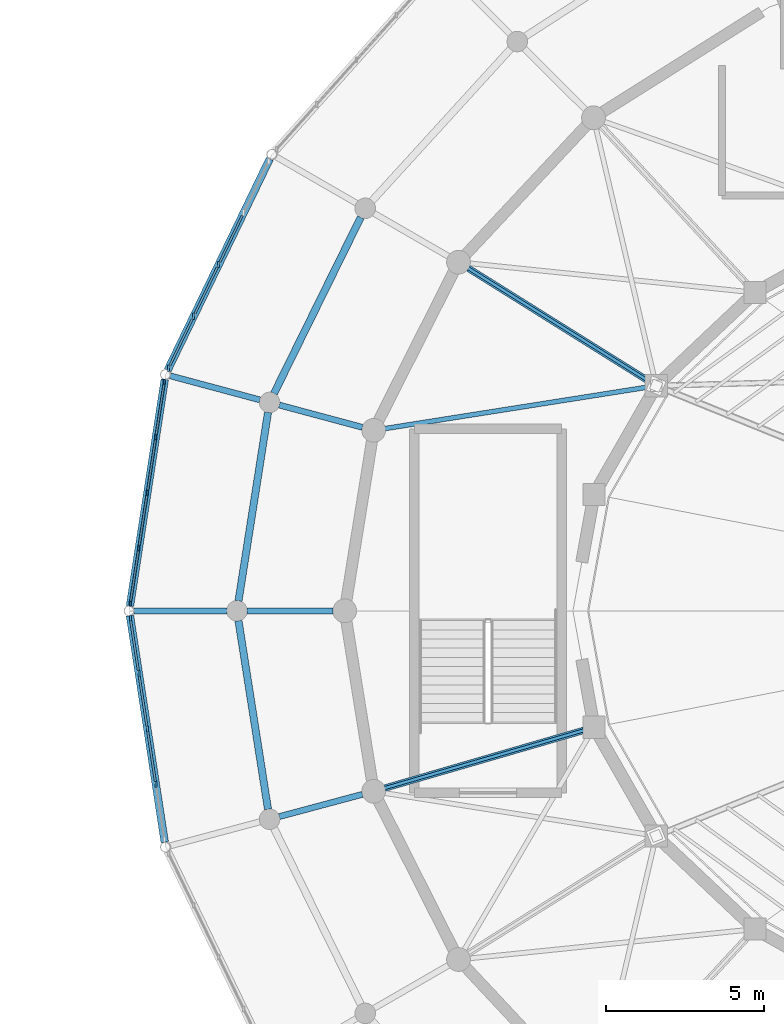
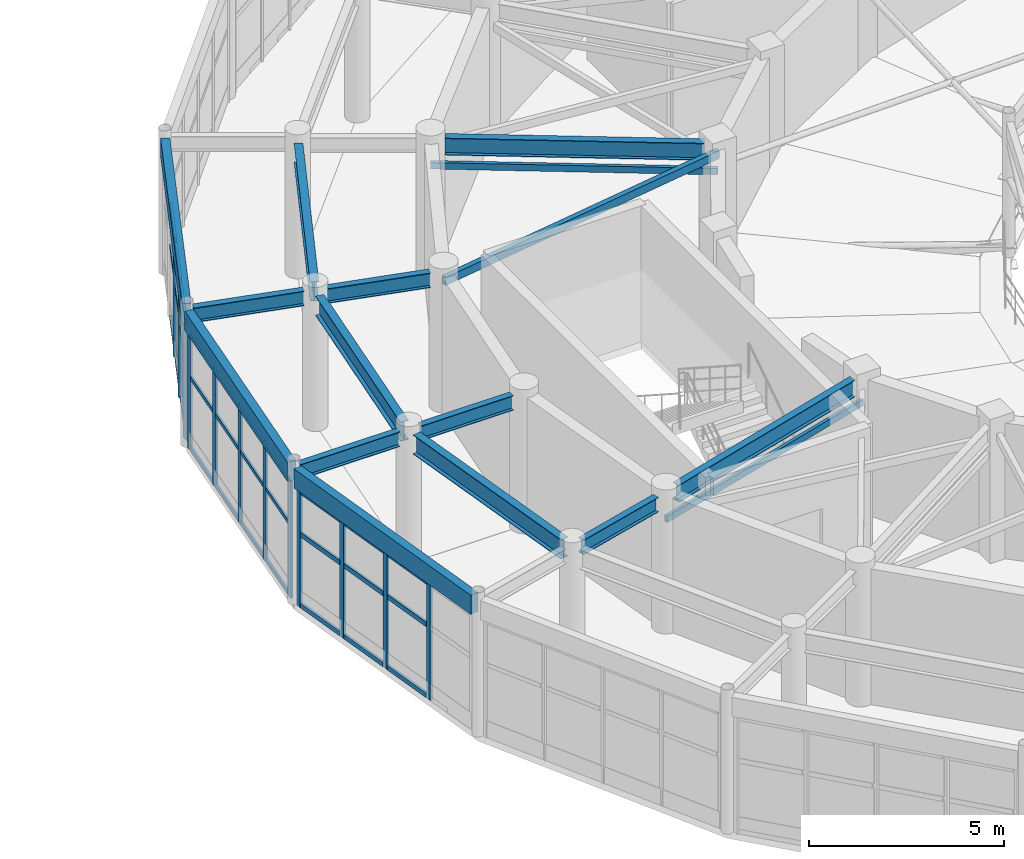
# One storey, part 43 of 112: 45 members, 13 beams, 3 elements without a shape of their own.
"""IFC4 building model written with IfcOpenShell, lengths in metres."""

import ifcopenshell
import ifcopenshell.guid

model = None  # the IFC model being written
_history = None  # IfcOwnerHistory: only IFC2X3 demands one
_inside = {}  # id of a spatial element -> (the spatial element, [elements in it])
_under = {}  # id of a project, library or spatial element -> (it, [spatial elements below it])
_declared = {}  # id of a project -> (the project, [libraries it declares])
_typed = {}  # id of a type object -> (the type object, [elements of that type])
_made_of = {}  # id of a material, layer set ... -> (it, [elements and type objects made of it])


def new_model(schema):
    """Start an empty IFC model of exactly this schema.

    Asked for "IFC4X3", IfcOpenShell would pick the latest addendum, in which some entities
    have other attributes; the version numbers below select the first issue.
    IFC2X3 requires an IfcOwnerHistory on every rooted entity: one is made here for all.
    """
    global model, _history
    if schema == "IFC4X3":
        model = ifcopenshell.file(schema_version=(4, 3, 0, 0))
    else:
        model = ifcopenshell.file(schema=schema)
    _inside.clear()
    _under.clear()
    _declared.clear()
    _typed.clear()
    _made_of.clear()
    _history = None
    if model.schema == "IFC2X3":
        org = make("IfcOrganization", Name="unknown")
        user = make(
            "IfcPersonAndOrganization",
            ThePerson=make("IfcPerson", FamilyName="unknown"),
            TheOrganization=org,
        )
        app = make(
            "IfcApplication",
            ApplicationDeveloper=org,
            Version="unknown",
            ApplicationFullName="unknown",
            ApplicationIdentifier="unknown",
        )
        _history = make(
            "IfcOwnerHistory",
            OwningUser=user,
            OwningApplication=app,
            ChangeAction="ADDED",
            CreationDate=0,
        )
    return model


def make(cls, **values):
    """One entity of the class cls with the attributes given. An attribute that is None is left unset."""
    return model.create_entity(
        cls, **{name: value for name, value in values.items() if value is not None}
    )


def rooted(cls, **values):
    """An entity with a GlobalId (a new one), such as an element, a storey or a relation."""
    return make(cls, GlobalId=ifcopenshell.guid.new(), OwnerHistory=_history, **values)


def si_unit(unit_type, name, prefix=None):
    """IfcSIUnit, for example si_unit("LENGTHUNIT", "METRE", prefix="MILLI")."""
    return make("IfcSIUnit", UnitType=unit_type, Prefix=prefix, Name=name)


def assignment(units):
    """IfcUnitAssignment: the units of a project."""
    return None if units is None else make("IfcUnitAssignment", Units=units)


def point(xyz):
    """IfcCartesianPoint."""
    return None if xyz is None else make("IfcCartesianPoint", Coordinates=xyz)


def direction(xyz):
    """IfcDirection."""
    return None if xyz is None else make("IfcDirection", DirectionRatios=xyz)


def frame(location, z_axis=None, x_axis=None):
    """IfcAxis2Placement3D, a coordinate frame: its origin and axes. An axis left out is left unset."""
    return make(
        "IfcAxis2Placement3D",
        Location=point(location),
        Axis=direction(z_axis),
        RefDirection=direction(x_axis),
    )


def frame_2d(location, x_axis=None):
    """IfcAxis2Placement2D, a coordinate frame in the plane: its origin and x axis."""
    return make(
        "IfcAxis2Placement2D", Location=point(location), RefDirection=direction(x_axis)
    )


def origin():
    """The frame at (0, 0, 0) with its axes left unset."""
    return frame((0.0, 0.0, 0.0))


def origin_2d():
    """The frame at (0, 0) in the plane with its x axis left unset."""
    return frame_2d((0.0, 0.0))


def place(relative_to, where):
    """IfcLocalPlacement: puts the frame where relative to a parent placement (None: the world)."""
    return make(
        "IfcLocalPlacement", PlacementRelTo=relative_to, RelativePlacement=where
    )


def context(
    kind, dimensions, precision=None, world=None, true_north=None, identifier=None
):
    """IfcGeometricRepresentationContext, for example the 3D "Model" context."""
    return make(
        "IfcGeometricRepresentationContext",
        ContextIdentifier=identifier,
        ContextType=kind,
        CoordinateSpaceDimension=dimensions,
        Precision=precision,
        WorldCoordinateSystem=world,
        TrueNorth=true_north,
    )


def subcontext(parent, identifier, kind, view, scale=None):
    """IfcGeometricRepresentationSubContext, for example "Body" below "Model"."""
    return make(
        "IfcGeometricRepresentationSubContext",
        ContextIdentifier=identifier,
        ContextType=kind,
        ParentContext=parent,
        TargetScale=scale,
        TargetView=view,
    )


def project(units=None, contexts=None):
    """IfcProject with its units and contexts."""
    return rooted(
        "IfcProject",
        Name="project",
        RepresentationContexts=contexts,
        UnitsInContext=assignment(units),
    )


def spatial(cls, under=None, at=None, **own):
    """A site, building, storey or space (cls), placed at a placement, below another one or the project."""
    s = rooted(cls, ObjectPlacement=at, **own)
    if under is not None:
        _under.setdefault(under.id(), (under, []))[1].append(s)
    return s


def profile(cls, at=None, kind="AREA", **sizes):
    """A parametric profile (cls). Its sizes go by their IFC names, for example OverallWidth=200.0."""
    return make(cls, ProfileType=kind, Position=at, **sizes)


def rectangle(**sizes):
    """IfcRectangleProfileDef."""
    return profile("IfcRectangleProfileDef", **sizes)


def hollow_rectangle(**sizes):
    """IfcRectangleHollowProfileDef."""
    return profile("IfcRectangleHollowProfileDef", **sizes)


def i_section(**sizes):
    """IfcIShapeProfileDef."""
    return profile("IfcIShapeProfileDef", **sizes)


def extrude(swept, where, along, depth):
    """IfcExtrudedAreaSolid: the profile swept, set in the frame where, extruded along a direction by depth."""
    return make(
        "IfcExtrudedAreaSolid",
        SweptArea=swept,
        Position=where,
        ExtrudedDirection=direction(along),
        Depth=depth,
    )


def shape(context_of_items, identifier, shape_type, items):
    """IfcShapeRepresentation: the items that make up one representation, for example the "Body"."""
    return make(
        "IfcShapeRepresentation",
        ContextOfItems=context_of_items,
        RepresentationIdentifier=identifier,
        RepresentationType=shape_type,
        Items=items,
    )


def material(Name=None, Category=None):
    """IfcMaterial."""
    return make("IfcMaterial", Name=Name, Category=Category)


def material_profile(
    of_material, cross_section, Name=None, Category=None, Priority=None
):
    """IfcMaterialProfile: a cross section and its material."""
    return make(
        "IfcMaterialProfile",
        Name=Name,
        Material=of_material,
        Profile=cross_section,
        Priority=Priority,
        Category=Category,
    )


def profile_set(profiles, Name=None, composite=None):
    """IfcMaterialProfileSet."""
    return make(
        "IfcMaterialProfileSet",
        Name=Name,
        MaterialProfiles=profiles,
        CompositeProfile=composite,
    )


def made_of(thing, what):
    """Note that an element or type object is made of a material, layer set ...; save() writes the relation."""
    if what is not None:
        _made_of.setdefault(what.id(), (what, []))[1].append(thing)
    return thing


def type_object(cls, material=None, **own):
    """A type object (cls), such as IfcWallType, which elements share."""
    return made_of(rooted(cls, **own), material)


def element(
    cls,
    number,
    at=None,
    inside=None,
    cuts=None,
    type_object=None,
    material=None,
    context=None,
    identifier="Body",
    shape_type=None,
    held_by="IfcProductDefinitionShape",
    body=None,
    shapes=None,
    **own,
):
    """One element of the class cls, such as IfcWall. Its Tag is "e" and its number.

    at: its placement. inside: the storey or other place that contains it. cuts: it is an
    opening in that element (IfcRelVoidsElement). A single representation is given by context,
    identifier, shape_type and body (its items); several are given by shapes. held_by: the class
    of the entity that holds the representations. save() writes the other relations.
    """
    e = rooted(cls, Tag="e%d" % number, ObjectPlacement=at, **own)
    if body is not None:
        shapes = [shape(context, identifier, shape_type, body)]
    if shapes is not None:
        e.Representation = make(held_by, Representations=shapes)
    if inside is not None:
        _inside.setdefault(inside.id(), (inside, []))[1].append(e)
    if cuts is not None:
        rooted(
            "IfcRelVoidsElement", RelatingBuildingElement=cuts, RelatedOpeningElement=e
        )
    if type_object is not None:
        _typed.setdefault(type_object.id(), (type_object, []))[1].append(e)
    return made_of(e, material)


def aggregate(whole, parts):
    """IfcRelAggregates: a whole, such as a stair, and the parts it consists of."""
    return rooted("IfcRelAggregates", RelatingObject=whole, RelatedObjects=parts)


def save(model, path):
    """Write the relations noted so far, then the file.

    IfcRelAggregates (storeys below a building ...), IfcRelContainedInSpatialStructure (elements
    in a storey), IfcRelDefinesByType, IfcRelAssociatesMaterial and IfcRelDeclares: one each for
    every whole, place, type object, material and project.
    """
    for whole, parts in _under.values():
        aggregate(whole, parts)
    for where, things in _inside.values():
        rooted(
            "IfcRelContainedInSpatialStructure",
            RelatedElements=things,
            RelatingStructure=where,
        )
    for kind, things in _typed.values():
        rooted("IfcRelDefinesByType", RelatedObjects=things, RelatingType=kind)
    for what, things in _made_of.values():
        rooted("IfcRelAssociatesMaterial", RelatedObjects=things, RelatingMaterial=what)
    for by, libraries in _declared.values():
        rooted("IfcRelDeclares", RelatingContext=by, RelatedDefinitions=libraries)
    model.write(path)


model = new_model("IFC4")

# Units and contexts
model_context = context("Model", 3, precision=1e-05, world=origin(), true_north=direction((0.0, 1.0)))
body_context = subcontext(model_context, "Body", "Model", "MODEL_VIEW")
ifc_project = project(units=[si_unit("LENGTHUNIT", "METRE"), si_unit("AREAUNIT", "SQUARE_METRE"), si_unit("VOLUMEUNIT", "CUBIC_METRE"), si_unit("PLANEANGLEUNIT", "RADIAN"), si_unit("MASSUNIT", "GRAM", prefix="KILO")], contexts=[model_context])

# Site, building, storey
site_placement = place(None, origin())
site = spatial("IfcSite", under=ifc_project, at=site_placement, CompositionType="ELEMENT")
building_placement = place(site_placement, origin())
building = spatial("IfcBuilding", under=site, at=building_placement, Name="Cinderbank Siding Concert Hall", CompositionType="ELEMENT")
storey_placement = place(building_placement, frame((0.0, 0.0, 10.199951171875)))
storey = spatial("IfcBuildingStorey", under=building, at=storey_placement, Name="L03", CompositionType="ELEMENT", Elevation=10.199951171875)

# Beams
ifc_material_1 = material(Name="Structural steel AS/NZS 3679.1 Grade 350 (340 MPa)", Category="steel")
ifc_material_profile_1 = material_profile(ifc_material_1, i_section(OverallWidth=0.19091796875, OverallDepth=0.46044921875, WebThickness=0.010009765625, FlangeThickness=0.01611328125, at=origin_2d()), Name="460UB82.1", Category="LoadBearing")
ifc_profile_set_1 = profile_set([ifc_material_profile_1], Name="Structural steel AS/NZS 3679.1 Grade 350 (340 MPa)")
beam_type_1 = type_object("IfcBeamType", Name="BM-UB460H 460UB82.1", PredefinedType="BEAM", material=ifc_profile_set_1)
for number, where, z_axis, x_axis, name in (
    (1, (95.7587890625, 49.7890625, 4.011962890625), (-0.965934410535, 0.258787006135, 0.0), (-0.258787006135, -0.965934410535, 0.0), "L03 Beam BM-UB460H #615"),
    (2, (94.8330078125, 44.0, 4.011962890625), (-1.0, 0.0, 0.0), (0.0, -1.0, 0.0), "L03 Beam BM-UB460H #616"),
    (3, (95.7587890625, 38.2109375, 4.011962890625), (-0.965934410535, -0.258787006135, 0.0), (0.258787006135, -0.965934410535, 0.0), "L03 Beam BM-UB460H #617"),
):
    element("IfcBeam", number, at=place(storey_placement, frame(where, z_axis=z_axis, x_axis=x_axis)), inside=storey, type_object=beam_type_1, Name=name, PredefinedType="BEAM", context=body_context, shape_type="SweptSolid", body=[
        extrude(i_section(OverallWidth=0.19091796875, OverallDepth=0.46044921875, WebThickness=0.010009765625, FlangeThickness=0.01611328125, at=origin_2d()), origin(), (0.0, 0.0, 1.0), 2.716064453125),
    ])
for number, where, z_axis, x_axis, name in (
    (4, (92.522705078125, 50.656005859375, 4.0517578125), (-0.965904885504, 0.258897184534, 0.0), (-0.258897184534, -0.965904885504, 0.0), "L03 Beam BM-UB460H #639"),
    (5, (91.48291015625, 44.0, 4.0517578125), (-1.0, 0.0, 0.0), (0.0, -1.0, 0.0), "L03 Beam BM-UB460H #640"),
):
    element("IfcBeam", number, at=place(storey_placement, frame(where, z_axis=z_axis, x_axis=x_axis)), inside=storey, type_object=beam_type_1, Name=name, PredefinedType="BEAM", context=body_context, shape_type="SweptSolid", body=[
        extrude(i_section(OverallWidth=0.19091796875, OverallDepth=0.46044921875, WebThickness=0.010009765625, FlangeThickness=0.01611328125, at=origin_2d()), origin(), (0.0, 0.0, 1.0), 2.928955078125),
    ])
ifc_material_profile_2 = material_profile(ifc_material_1, i_section(OverallWidth=0.208984375, OverallDepth=0.532958984375, WebThickness=0.01025390625, FlangeThickness=0.015625, at=origin_2d()), Name="530UB92.4", Category="LoadBearing")
ifc_profile_set_2 = profile_set([ifc_material_profile_2], Name="Structural steel AS/NZS 3679.1 Grade 350 (340 MPa)")
beam_type_2 = type_object("IfcBeamType", Name="BM-UB530H 530UB92.4", PredefinedType="BEAM", material=ifc_profile_set_2)
beam_1_placement = place(storey_placement, frame((104.73583984375, 51.281494140625, 3.985595703125), z_axis=(-0.84781868984, 0.530286214376, 0.0), x_axis=(-0.530286214376, -0.84781868984, 0.0)))
element("IfcBeam", 6, at=beam_1_placement, inside=storey, type_object=beam_type_2, Name="L03 Beam BM-UB530H #596", PredefinedType="BEAM", context=body_context, shape_type="SweptSolid", body=[
    extrude(i_section(OverallWidth=0.208984375, OverallDepth=0.532958984375, WebThickness=0.01025390625, FlangeThickness=0.015625, at=origin_2d()), origin(), (0.0, 0.0, 1.0), 6.645263671875),
])
beam_2_placement = place(storey_placement, frame((102.739501953125, 40.2294921875, 3.985595703125), z_axis=(-0.960350422934, -0.278795740946, 0.0), x_axis=(0.278795740946, -0.960350422934, 0.0)))
element("IfcBeam", 7, at=beam_2_placement, inside=storey, type_object=beam_type_2, Name="L03 Beam BM-UB530H #597", PredefinedType="BEAM", context=body_context, shape_type="SweptSolid", body=[
    extrude(i_section(OverallWidth=0.208984375, OverallDepth=0.532958984375, WebThickness=0.01025390625, FlangeThickness=0.015625, at=origin_2d()), origin(), (0.0, 0.0, 1.0), 6.53271484375),
])
ifc_material_profile_3 = material_profile(ifc_material_1, i_section(OverallWidth=0.22802734375, OverallDepth=0.60693359375, WebThickness=0.01123046875, FlangeThickness=0.017333984375, at=origin_2d()), Name="610UB113", Category="LoadBearing")
ifc_profile_set_3 = profile_set([ifc_material_profile_3], Name="Structural steel AS/NZS 3679.1 Grade 350 (340 MPa)")
beam_type_3 = type_object("IfcBeamType", Name="BM-UB610M 610UB113", PredefinedType="BEAM", material=ifc_profile_set_3)
beam_3_placement = place(storey_placement, frame((95.705810546875, 56.41552734375, 3.9384765625), z_axis=(-0.441813843649, -0.897106753714, 0.0), x_axis=(0.897106753714, -0.441813843649, 0.0)))
element("IfcBeam", 8, at=beam_3_placement, inside=storey, type_object=beam_type_3, Name="L03 Beam BM-UB610M #555", PredefinedType="BEAM", context=body_context, shape_type="SweptSolid", body=[
    extrude(i_section(OverallWidth=0.22802734375, OverallDepth=0.60693359375, WebThickness=0.01123046875, FlangeThickness=0.017333984375, at=origin_2d()), origin(), (0.0, 0.0, 1.0), 6.194580078125),
])
for number, where, z_axis, x_axis, name in (
    (9, (92.780029296875, 50.2607421875, 3.9384765625), (-0.154637914322, -0.987971211855, 0.0), (0.987971211855, -0.154637914322, 0.0), "L03 Beam BM-UB610M #556"),
    (10, (91.84912109375, 43.686767578125, 3.9384765625), (0.154637914322, -0.987971211855, 0.0), (0.987971211855, 0.154637914322, 0.0), "L03 Beam BM-UB610M #557"),
):
    element("IfcBeam", number, at=place(storey_placement, frame(where, z_axis=z_axis, x_axis=x_axis)), inside=storey, type_object=beam_type_3, Name=name, PredefinedType="BEAM", context=body_context, shape_type="SweptSolid", body=[
        extrude(i_section(OverallWidth=0.22802734375, OverallDepth=0.60693359375, WebThickness=0.01123046875, FlangeThickness=0.017333984375, at=origin_2d()), origin(), (0.0, 0.0, 1.0), 6.02001953125),
    ])

# Curtain wall, members
ifc_material_2 = material(Name="Anodised aluminium alloy 6063-T6", Category="aluminium")
curtain_wall_type_1 = type_object("IfcCurtainWallType", Name="CW-12 Unitised Acoustic Curtain Wall 5800x3500", PredefinedType="NOTDEFINED", material=ifc_material_2)
curtain_wall_1_placement = place(storey_placement, origin())
curtain_wall_1 = element("IfcCurtainWall", 11, at=curtain_wall_1_placement, inside=storey, type_object=curtain_wall_type_1, Name="L03 Curtain Wall CW-12 #36", PredefinedType="NOTDEFINED")
ifc_material_profile_4 = material_profile(ifc_material_2, rectangle(XDim=0.06005859375, YDim=0.159912109375, at=origin_2d()), Name="ALU-MULL-60x160", Category="LoadBearing")
ifc_profile_set_4 = profile_set([ifc_material_profile_4], Name="Anodised aluminium alloy 6063-T6")
member_type_1 = type_object("IfcMemberType", Name="CW-ML1 Mullion 60x160", PredefinedType="MULLION", material=ifc_profile_set_4)
member_1_placement = place(storey_placement, frame((89.510498046875, 51.229736328125, 0.0), z_axis=(0.0, 0.0, 1.0), x_axis=(1.0, 0.0, 0.0)))
member_1 = element("IfcMember", 12, at=member_1_placement, type_object=member_type_1, Name="CW-L03-036 Mullion 0", PredefinedType="MULLION", context=body_context, shape_type="SweptSolid", body=[
    extrude(rectangle(XDim=0.06005859375, YDim=0.159912109375, at=origin_2d()), origin(), (0.0, 0.0, 1.0), 3.6669921875),
])
member_2_placement = place(storey_placement, frame((89.241455078125, 49.478271484375, 0.0), z_axis=(0.0, 0.0, 1.0), x_axis=(1.0, 0.0, 0.0)))
member_2 = element("IfcMember", 13, at=member_2_placement, type_object=member_type_1, Name="CW-L03-036 Mullion 1", PredefinedType="MULLION", context=body_context, shape_type="SweptSolid", body=[
    extrude(rectangle(XDim=0.06005859375, YDim=0.159912109375, at=origin_2d()), origin(), (0.0, 0.0, 1.0), 3.6669921875),
])
member_3_placement = place(storey_placement, frame((88.972412109375, 47.72705078125, 0.0), z_axis=(0.0, 0.0, 1.0), x_axis=(1.0, 0.0, 0.0)))
member_3 = element("IfcMember", 14, at=member_3_placement, type_object=member_type_1, Name="CW-L03-036 Mullion 2", PredefinedType="MULLION", context=body_context, shape_type="SweptSolid", body=[
    extrude(rectangle(XDim=0.06005859375, YDim=0.159912109375, at=origin_2d()), origin(), (0.0, 0.0, 1.0), 3.6669921875),
])
member_4_placement = place(storey_placement, frame((88.70361328125, 45.9755859375, 0.0), z_axis=(0.0, 0.0, 1.0), x_axis=(1.0, 0.0, 0.0)))
member_4 = element("IfcMember", 15, at=member_4_placement, type_object=member_type_1, Name="CW-L03-036 Mullion 3", PredefinedType="MULLION", context=body_context, shape_type="SweptSolid", body=[
    extrude(rectangle(XDim=0.06005859375, YDim=0.159912109375, at=origin_2d()), origin(), (0.0, 0.0, 1.0), 3.6669921875),
])
member_5_placement = place(storey_placement, frame((88.4345703125, 44.224365234375, 0.0), z_axis=(0.0, 0.0, 1.0), x_axis=(1.0, 0.0, 0.0)))
member_5 = element("IfcMember", 16, at=member_5_placement, type_object=member_type_1, Name="CW-L03-036 Mullion 4", PredefinedType="MULLION", context=body_context, shape_type="SweptSolid", body=[
    extrude(rectangle(XDim=0.06005859375, YDim=0.159912109375, at=origin_2d()), origin(), (0.0, 0.0, 1.0), 3.6669921875),
])

curtain_wall_type_2 = type_object("IfcCurtainWallType", Name="CW-11 Unitised Acoustic Curtain Wall 6600x3500", PredefinedType="NOTDEFINED", material=ifc_material_2)
curtain_wall_2_placement = place(storey_placement, origin())
curtain_wall_2 = element("IfcCurtainWall", 17, at=curtain_wall_2_placement, inside=storey, type_object=curtain_wall_type_2, Name="L03 Curtain Wall CW-11 #35", PredefinedType="NOTDEFINED")
ifc_material_profile_5 = material_profile(ifc_material_2, rectangle(XDim=0.06494140625, YDim=0.199951171875, at=origin_2d()), Name="ALU-MULL-65x200", Category="LoadBearing")
ifc_profile_set_5 = profile_set([ifc_material_profile_5], Name="Anodised aluminium alloy 6063-T6")
member_type_2 = type_object("IfcMemberType", Name="CW-ML2 Mullion 65x200", PredefinedType="MULLION", material=ifc_profile_set_5)
member_6_placement = place(storey_placement, frame((91.22314453125, 54.927001953125, 0.0), z_axis=(0.0, 0.0, 1.0), x_axis=(1.0, 0.0, 0.0)))
member_6 = element("IfcMember", 18, at=member_6_placement, type_object=member_type_2, Name="CW-L03-035 Mullion 2", PredefinedType="MULLION", context=body_context, shape_type="SweptSolid", body=[
    extrude(rectangle(XDim=0.06494140625, YDim=0.199951171875, at=origin_2d()), origin(), (0.0, 0.0, 1.0), 3.6669921875),
])
member_7_placement = place(storey_placement, frame((90.433349609375, 53.292724609375, 0.0), z_axis=(0.0, 0.0, 1.0), x_axis=(1.0, 0.0, 0.0)))
member_7 = element("IfcMember", 19, at=member_7_placement, type_object=member_type_2, Name="CW-L03-035 Mullion 3", PredefinedType="MULLION", context=body_context, shape_type="SweptSolid", body=[
    extrude(rectangle(XDim=0.06494140625, YDim=0.199951171875, at=origin_2d()), origin(), (0.0, 0.0, 1.0), 3.6669921875),
])
member_8_placement = place(storey_placement, frame((89.6435546875, 51.658203125, 0.0), z_axis=(0.0, 0.0, 1.0), x_axis=(1.0, 0.0, 0.0)))
member_8 = element("IfcMember", 20, at=member_8_placement, type_object=member_type_2, Name="CW-L03-035 Mullion 4", PredefinedType="MULLION", context=body_context, shape_type="SweptSolid", body=[
    extrude(rectangle(XDim=0.06494140625, YDim=0.199951171875, at=origin_2d()), origin(), (0.0, 0.0, 1.0), 3.6669921875),
])

curtain_wall_type_3 = type_object("IfcCurtainWallType", Name="CW-01 Unitised Acoustic Curtain Wall 8200x4400", PredefinedType="NOTDEFINED", material=ifc_material_2)
curtain_wall_3_placement = place(storey_placement, origin())
curtain_wall_3 = element("IfcCurtainWall", 21, at=curtain_wall_3_placement, inside=storey, type_object=curtain_wall_type_3, Name="L03 Curtain Wall CW-01 #37", PredefinedType="NOTDEFINED")
member_9_placement = place(storey_placement, frame((88.4345703125, 43.775634765625, 0.0), z_axis=(0.0, 0.0, 1.0), x_axis=(1.0, 0.0, 0.0)))
member_9 = element("IfcMember", 22, at=member_9_placement, type_object=member_type_2, Name="CW-L03-037 Mullion 0", PredefinedType="MULLION", context=body_context, shape_type="SweptSolid", body=[
    extrude(rectangle(XDim=0.06494140625, YDim=0.199951171875, at=origin_2d()), origin(), (0.0, 0.0, 1.0), 3.6669921875),
])
member_10_placement = place(storey_placement, frame((88.70361328125, 42.0244140625, 0.0), z_axis=(0.0, 0.0, 1.0), x_axis=(1.0, 0.0, 0.0)))
member_10 = element("IfcMember", 23, at=member_10_placement, type_object=member_type_2, Name="CW-L03-037 Mullion 1", PredefinedType="MULLION", context=body_context, shape_type="SweptSolid", body=[
    extrude(rectangle(XDim=0.06494140625, YDim=0.199951171875, at=origin_2d()), origin(), (0.0, 0.0, 1.0), 3.6669921875),
])
member_11_placement = place(storey_placement, frame((88.972412109375, 40.27294921875, 0.0), z_axis=(0.0, 0.0, 1.0), x_axis=(1.0, 0.0, 0.0)))
member_11 = element("IfcMember", 24, at=member_11_placement, type_object=member_type_2, Name="CW-L03-037 Mullion 2", PredefinedType="MULLION", context=body_context, shape_type="SweptSolid", body=[
    extrude(rectangle(XDim=0.06494140625, YDim=0.199951171875, at=origin_2d()), origin(), (0.0, 0.0, 1.0), 3.6669921875),
])
member_12_placement = place(storey_placement, frame((89.241455078125, 38.521728515625, 0.0), z_axis=(0.0, 0.0, 1.0), x_axis=(1.0, 0.0, 0.0)))
member_12 = element("IfcMember", 25, at=member_12_placement, type_object=member_type_2, Name="CW-L03-037 Mullion 3", PredefinedType="MULLION", context=body_context, shape_type="SweptSolid", body=[
    extrude(rectangle(XDim=0.06494140625, YDim=0.199951171875, at=origin_2d()), origin(), (0.0, 0.0, 1.0), 3.6669921875),
])

# Member
ifc_material_profile_6 = material_profile(ifc_material_2, rectangle(XDim=0.06005859375, YDim=0.1201171875, at=origin_2d()), Name="ALU-TRAN-60x120", Category="LoadBearing")
ifc_profile_set_6 = profile_set([ifc_material_profile_6], Name="Anodised aluminium alloy 6063-T6")
member_type_3 = type_object("IfcMemberType", Name="CW-TR1 Transom 60x120", PredefinedType="USERDEFINED", material=ifc_profile_set_6)
member_13_placement = place(storey_placement, frame((89.4970703125, 51.14208984375, 0.06005859375), z_axis=(-0.151873110161, -0.988399999196, 0.0), x_axis=(0.988399999196, -0.151873110161, 0.0)))
member_13 = element("IfcMember", 26, at=member_13_placement, type_object=member_type_3, Name="CW-L03-036 Transom 0-0", ObjectType="TRANSOM", PredefinedType="USERDEFINED", context=body_context, shape_type="SweptSolid", body=[
    extrude(rectangle(XDim=0.06005859375, YDim=0.1201171875, at=origin_2d()), origin(), (0.0, 0.0, 1.0), 1.5947265625),
])

member_14_placement = place(storey_placement, frame((89.4970703125, 51.14208984375, 2.2734375), z_axis=(-0.151873110161, -0.988399999196, 0.0), x_axis=(0.988399999196, -0.151873110161, 0.0)))
member_14 = element("IfcMember", 27, at=member_14_placement, type_object=member_type_3, Name="CW-L03-036 Transom 0-1", ObjectType="TRANSOM", PredefinedType="USERDEFINED", context=body_context, shape_type="SweptSolid", body=[
    extrude(rectangle(XDim=0.06005859375, YDim=0.1201171875, at=origin_2d()), origin(), (0.0, 0.0, 1.0), 1.5947265625),
])

member_15_placement = place(storey_placement, frame((89.4970703125, 51.14208984375, 3.60693359375), z_axis=(-0.151873110161, -0.988399999196, 0.0), x_axis=(0.988399999196, -0.151873110161, 0.0)))
member_15 = element("IfcMember", 28, at=member_15_placement, type_object=member_type_3, Name="CW-L03-036 Transom 0-2", ObjectType="TRANSOM", PredefinedType="USERDEFINED", context=body_context, shape_type="SweptSolid", body=[
    extrude(rectangle(XDim=0.06005859375, YDim=0.1201171875, at=origin_2d()), origin(), (0.0, 0.0, 1.0), 1.5947265625),
])

member_16_placement = place(storey_placement, frame((89.22802734375, 49.390869140625, 0.06005859375), z_axis=(-0.151873110161, -0.988399999196, 0.0), x_axis=(0.988399999196, -0.151873110161, 0.0)))
member_16 = element("IfcMember", 29, at=member_16_placement, type_object=member_type_3, Name="CW-L03-036 Transom 1-0", ObjectType="TRANSOM", PredefinedType="USERDEFINED", context=body_context, shape_type="SweptSolid", body=[
    extrude(rectangle(XDim=0.06005859375, YDim=0.1201171875, at=origin_2d()), origin(), (0.0, 0.0, 1.0), 1.5947265625),
])

member_17_placement = place(storey_placement, frame((89.22802734375, 49.390869140625, 2.2734375), z_axis=(-0.151873110161, -0.988399999196, 0.0), x_axis=(0.988399999196, -0.151873110161, 0.0)))
member_17 = element("IfcMember", 30, at=member_17_placement, type_object=member_type_3, Name="CW-L03-036 Transom 1-1", ObjectType="TRANSOM", PredefinedType="USERDEFINED", context=body_context, shape_type="SweptSolid", body=[
    extrude(rectangle(XDim=0.06005859375, YDim=0.1201171875, at=origin_2d()), origin(), (0.0, 0.0, 1.0), 1.5947265625),
])

member_18_placement = place(storey_placement, frame((89.22802734375, 49.390869140625, 3.60693359375), z_axis=(-0.151873110161, -0.988399999196, 0.0), x_axis=(0.988399999196, -0.151873110161, 0.0)))
member_18 = element("IfcMember", 31, at=member_18_placement, type_object=member_type_3, Name="CW-L03-036 Transom 1-2", ObjectType="TRANSOM", PredefinedType="USERDEFINED", context=body_context, shape_type="SweptSolid", body=[
    extrude(rectangle(XDim=0.06005859375, YDim=0.1201171875, at=origin_2d()), origin(), (0.0, 0.0, 1.0), 1.5947265625),
])

member_19_placement = place(storey_placement, frame((88.958984375, 47.639404296875, 0.06005859375), z_axis=(-0.151873110161, -0.988399999196, 0.0), x_axis=(0.988399999196, -0.151873110161, 0.0)))
member_19 = element("IfcMember", 32, at=member_19_placement, type_object=member_type_3, Name="CW-L03-036 Transom 2-0", ObjectType="TRANSOM", PredefinedType="USERDEFINED", context=body_context, shape_type="SweptSolid", body=[
    extrude(rectangle(XDim=0.06005859375, YDim=0.1201171875, at=origin_2d()), origin(), (0.0, 0.0, 1.0), 1.5947265625),
])

member_20_placement = place(storey_placement, frame((88.958984375, 47.639404296875, 2.2734375), z_axis=(-0.151873110161, -0.988399999196, 0.0), x_axis=(0.988399999196, -0.151873110161, 0.0)))
member_20 = element("IfcMember", 33, at=member_20_placement, type_object=member_type_3, Name="CW-L03-036 Transom 2-1", ObjectType="TRANSOM", PredefinedType="USERDEFINED", context=body_context, shape_type="SweptSolid", body=[
    extrude(rectangle(XDim=0.06005859375, YDim=0.1201171875, at=origin_2d()), origin(), (0.0, 0.0, 1.0), 1.5947265625),
])

member_21_placement = place(storey_placement, frame((88.958984375, 47.639404296875, 3.60693359375), z_axis=(-0.151873110161, -0.988399999196, 0.0), x_axis=(0.988399999196, -0.151873110161, 0.0)))
member_21 = element("IfcMember", 34, at=member_21_placement, type_object=member_type_3, Name="CW-L03-036 Transom 2-2", ObjectType="TRANSOM", PredefinedType="USERDEFINED", context=body_context, shape_type="SweptSolid", body=[
    extrude(rectangle(XDim=0.06005859375, YDim=0.1201171875, at=origin_2d()), origin(), (0.0, 0.0, 1.0), 1.5947265625),
])

member_22_placement = place(storey_placement, frame((88.68994140625, 45.88818359375, 0.06005859375), z_axis=(-0.151723538324, -0.988422970149, 0.0), x_axis=(0.988422970149, -0.151723538324, 0.0)))
member_22 = element("IfcMember", 35, at=member_22_placement, type_object=member_type_3, Name="CW-L03-036 Transom 3-0", ObjectType="TRANSOM", PredefinedType="USERDEFINED", context=body_context, shape_type="SweptSolid", body=[
    extrude(rectangle(XDim=0.06005859375, YDim=0.1201171875, at=origin_2d()), origin(), (0.0, 0.0, 1.0), 1.5947265625),
])

member_23_placement = place(storey_placement, frame((88.68994140625, 45.88818359375, 2.2734375), z_axis=(-0.151723538324, -0.988422970149, 0.0), x_axis=(0.988422970149, -0.151723538324, 0.0)))
member_23 = element("IfcMember", 36, at=member_23_placement, type_object=member_type_3, Name="CW-L03-036 Transom 3-1", ObjectType="TRANSOM", PredefinedType="USERDEFINED", context=body_context, shape_type="SweptSolid", body=[
    extrude(rectangle(XDim=0.06005859375, YDim=0.1201171875, at=origin_2d()), origin(), (0.0, 0.0, 1.0), 1.5947265625),
])

member_24_placement = place(storey_placement, frame((88.68994140625, 45.88818359375, 3.60693359375), z_axis=(-0.151723538324, -0.988422970149, 0.0), x_axis=(0.988422970149, -0.151723538324, 0.0)))
member_24 = element("IfcMember", 37, at=member_24_placement, type_object=member_type_3, Name="CW-L03-036 Transom 3-2", ObjectType="TRANSOM", PredefinedType="USERDEFINED", context=body_context, shape_type="SweptSolid", body=[
    extrude(rectangle(XDim=0.06005859375, YDim=0.1201171875, at=origin_2d()), origin(), (0.0, 0.0, 1.0), 1.5947265625),
])

aggregate(curtain_wall_1, [member_1, member_2, member_3, member_4, member_5, member_13, member_14, member_15, member_16, member_17, member_18, member_19, member_20, member_21, member_22, member_23, member_24])

ifc_material_profile_7 = material_profile(ifc_material_2, rectangle(XDim=0.06494140625, YDim=0.14990234375, at=origin_2d()), Name="ALU-TRAN-65x150", Category="LoadBearing")
ifc_profile_set_7 = profile_set([ifc_material_profile_7], Name="Anodised aluminium alloy 6063-T6")
member_type_4 = type_object("IfcMemberType", Name="CW-TR2 Transom 65x150", PredefinedType="USERDEFINED", material=ifc_profile_set_7)
member_25_placement = place(storey_placement, frame((91.973388671875, 56.4794921875, 0.06005859375), z_axis=(-0.435095962233, -0.900384086737, 0.0), x_axis=(0.900384086737, -0.435095962233, 0.0)))
member_25 = element("IfcMember", 38, at=member_25_placement, type_object=member_type_4, Name="CW-L03-035 Transom 1-0", ObjectType="TRANSOM", PredefinedType="USERDEFINED", context=body_context, shape_type="SweptSolid", body=[
    extrude(rectangle(XDim=0.06494140625, YDim=0.14990234375, at=origin_2d()), origin(), (0.0, 0.0, 1.0), 1.63330078125),
])

member_26_placement = place(storey_placement, frame((91.973388671875, 56.4794921875, 2.2734375), z_axis=(-0.435095962233, -0.900384086737, 0.0), x_axis=(0.900384086737, -0.435095962233, 0.0)))
member_26 = element("IfcMember", 39, at=member_26_placement, type_object=member_type_4, Name="CW-L03-035 Transom 1-1", ObjectType="TRANSOM", PredefinedType="USERDEFINED", context=body_context, shape_type="SweptSolid", body=[
    extrude(rectangle(XDim=0.06494140625, YDim=0.14990234375, at=origin_2d()), origin(), (0.0, 0.0, 1.0), 1.63330078125),
])

member_27_placement = place(storey_placement, frame((91.973388671875, 56.4794921875, 3.60693359375), z_axis=(-0.435095962233, -0.900384086737, 0.0), x_axis=(0.900384086737, -0.435095962233, 0.0)))
member_27 = element("IfcMember", 40, at=member_27_placement, type_object=member_type_4, Name="CW-L03-035 Transom 1-2", ObjectType="TRANSOM", PredefinedType="USERDEFINED", context=body_context, shape_type="SweptSolid", body=[
    extrude(rectangle(XDim=0.06494140625, YDim=0.14990234375, at=origin_2d()), origin(), (0.0, 0.0, 1.0), 1.63330078125),
])

member_28_placement = place(storey_placement, frame((91.18359375, 54.84521484375, 0.06005859375), z_axis=(-0.435095962233, -0.900384086737, 0.0), x_axis=(0.900384086737, -0.435095962233, 0.0)))
member_28 = element("IfcMember", 41, at=member_28_placement, type_object=member_type_4, Name="CW-L03-035 Transom 2-0", ObjectType="TRANSOM", PredefinedType="USERDEFINED", context=body_context, shape_type="SweptSolid", body=[
    extrude(rectangle(XDim=0.06494140625, YDim=0.14990234375, at=origin_2d()), origin(), (0.0, 0.0, 1.0), 1.63330078125),
])

member_29_placement = place(storey_placement, frame((91.18359375, 54.84521484375, 2.2734375), z_axis=(-0.435095962233, -0.900384086737, 0.0), x_axis=(0.900384086737, -0.435095962233, 0.0)))
member_29 = element("IfcMember", 42, at=member_29_placement, type_object=member_type_4, Name="CW-L03-035 Transom 2-1", ObjectType="TRANSOM", PredefinedType="USERDEFINED", context=body_context, shape_type="SweptSolid", body=[
    extrude(rectangle(XDim=0.06494140625, YDim=0.14990234375, at=origin_2d()), origin(), (0.0, 0.0, 1.0), 1.63330078125),
])

member_30_placement = place(storey_placement, frame((91.18359375, 54.84521484375, 3.60693359375), z_axis=(-0.435095962233, -0.900384086737, 0.0), x_axis=(0.900384086737, -0.435095962233, 0.0)))
member_30 = element("IfcMember", 43, at=member_30_placement, type_object=member_type_4, Name="CW-L03-035 Transom 2-2", ObjectType="TRANSOM", PredefinedType="USERDEFINED", context=body_context, shape_type="SweptSolid", body=[
    extrude(rectangle(XDim=0.06494140625, YDim=0.14990234375, at=origin_2d()), origin(), (0.0, 0.0, 1.0), 1.63330078125),
])

member_31_placement = place(storey_placement, frame((90.393798828125, 53.2109375, 0.06005859375), z_axis=(-0.435037415308, -0.900412376238, 0.0), x_axis=(0.900412376238, -0.435037415308, 0.0)))
member_31 = element("IfcMember", 44, at=member_31_placement, type_object=member_type_4, Name="CW-L03-035 Transom 3-0", ObjectType="TRANSOM", PredefinedType="USERDEFINED", context=body_context, shape_type="SweptSolid", body=[
    extrude(rectangle(XDim=0.06494140625, YDim=0.14990234375, at=origin_2d()), origin(), (0.0, 0.0, 1.0), 1.633544921875),
])

member_32_placement = place(storey_placement, frame((90.393798828125, 53.2109375, 2.2734375), z_axis=(-0.435037415308, -0.900412376238, 0.0), x_axis=(0.900412376238, -0.435037415308, 0.0)))
member_32 = element("IfcMember", 45, at=member_32_placement, type_object=member_type_4, Name="CW-L03-035 Transom 3-1", ObjectType="TRANSOM", PredefinedType="USERDEFINED", context=body_context, shape_type="SweptSolid", body=[
    extrude(rectangle(XDim=0.06494140625, YDim=0.14990234375, at=origin_2d()), origin(), (0.0, 0.0, 1.0), 1.633544921875),
])

member_33_placement = place(storey_placement, frame((90.393798828125, 53.2109375, 3.60693359375), z_axis=(-0.435037415308, -0.900412376238, 0.0), x_axis=(0.900412376238, -0.435037415308, 0.0)))
member_33 = element("IfcMember", 46, at=member_33_placement, type_object=member_type_4, Name="CW-L03-035 Transom 3-2", ObjectType="TRANSOM", PredefinedType="USERDEFINED", context=body_context, shape_type="SweptSolid", body=[
    extrude(rectangle(XDim=0.06494140625, YDim=0.14990234375, at=origin_2d()), origin(), (0.0, 0.0, 1.0), 1.633544921875),
])

aggregate(curtain_wall_2, [member_6, member_7, member_8, member_25, member_26, member_27, member_28, member_29, member_30, member_31, member_32, member_33])

member_34_placement = place(storey_placement, frame((88.447998046875, 43.68798828125, 0.06005859375), z_axis=(0.151723538324, -0.988422970149, 0.0), x_axis=(0.988422970149, 0.151723538324, 0.0)))
member_34 = element("IfcMember", 47, at=member_34_placement, type_object=member_type_4, Name="CW-L03-037 Transom 0-0", ObjectType="TRANSOM", PredefinedType="USERDEFINED", context=body_context, shape_type="SweptSolid", body=[
    extrude(rectangle(XDim=0.06494140625, YDim=0.14990234375, at=origin_2d()), origin(), (0.0, 0.0, 1.0), 1.5947265625),
])

member_35_placement = place(storey_placement, frame((88.447998046875, 43.68798828125, 2.2734375), z_axis=(0.151723538324, -0.988422970149, 0.0), x_axis=(0.988422970149, 0.151723538324, 0.0)))
member_35 = element("IfcMember", 48, at=member_35_placement, type_object=member_type_4, Name="CW-L03-037 Transom 0-1", ObjectType="TRANSOM", PredefinedType="USERDEFINED", context=body_context, shape_type="SweptSolid", body=[
    extrude(rectangle(XDim=0.06494140625, YDim=0.14990234375, at=origin_2d()), origin(), (0.0, 0.0, 1.0), 1.5947265625),
])

member_36_placement = place(storey_placement, frame((88.447998046875, 43.68798828125, 3.60693359375), z_axis=(0.151723538324, -0.988422970149, 0.0), x_axis=(0.988422970149, 0.151723538324, 0.0)))
member_36 = element("IfcMember", 49, at=member_36_placement, type_object=member_type_4, Name="CW-L03-037 Transom 0-2", ObjectType="TRANSOM", PredefinedType="USERDEFINED", context=body_context, shape_type="SweptSolid", body=[
    extrude(rectangle(XDim=0.06494140625, YDim=0.14990234375, at=origin_2d()), origin(), (0.0, 0.0, 1.0), 1.5947265625),
])

member_37_placement = place(storey_placement, frame((88.716796875, 41.936767578125, 0.06005859375), z_axis=(0.151873110161, -0.988399999196, 0.0), x_axis=(0.988399999196, 0.151873110161, 0.0)))
member_37 = element("IfcMember", 50, at=member_37_placement, type_object=member_type_4, Name="CW-L03-037 Transom 1-0", ObjectType="TRANSOM", PredefinedType="USERDEFINED", context=body_context, shape_type="SweptSolid", body=[
    extrude(rectangle(XDim=0.06494140625, YDim=0.14990234375, at=origin_2d()), origin(), (0.0, 0.0, 1.0), 1.5947265625),
])

member_38_placement = place(storey_placement, frame((88.716796875, 41.936767578125, 2.2734375), z_axis=(0.151873110161, -0.988399999196, 0.0), x_axis=(0.988399999196, 0.151873110161, 0.0)))
member_38 = element("IfcMember", 51, at=member_38_placement, type_object=member_type_4, Name="CW-L03-037 Transom 1-1", ObjectType="TRANSOM", PredefinedType="USERDEFINED", context=body_context, shape_type="SweptSolid", body=[
    extrude(rectangle(XDim=0.06494140625, YDim=0.14990234375, at=origin_2d()), origin(), (0.0, 0.0, 1.0), 1.5947265625),
])

member_39_placement = place(storey_placement, frame((88.716796875, 41.936767578125, 3.60693359375), z_axis=(0.151873110161, -0.988399999196, 0.0), x_axis=(0.988399999196, 0.151873110161, 0.0)))
member_39 = element("IfcMember", 52, at=member_39_placement, type_object=member_type_4, Name="CW-L03-037 Transom 1-2", ObjectType="TRANSOM", PredefinedType="USERDEFINED", context=body_context, shape_type="SweptSolid", body=[
    extrude(rectangle(XDim=0.06494140625, YDim=0.14990234375, at=origin_2d()), origin(), (0.0, 0.0, 1.0), 1.5947265625),
])

member_40_placement = place(storey_placement, frame((88.98583984375, 40.185302734375, 0.06005859375), z_axis=(0.151873110161, -0.988399999196, 0.0), x_axis=(0.988399999196, 0.151873110161, 0.0)))
member_40 = element("IfcMember", 53, at=member_40_placement, type_object=member_type_4, Name="CW-L03-037 Transom 2-0", ObjectType="TRANSOM", PredefinedType="USERDEFINED", context=body_context, shape_type="SweptSolid", body=[
    extrude(rectangle(XDim=0.06494140625, YDim=0.14990234375, at=origin_2d()), origin(), (0.0, 0.0, 1.0), 1.5947265625),
])

member_41_placement = place(storey_placement, frame((88.98583984375, 40.185302734375, 2.2734375), z_axis=(0.151873110161, -0.988399999196, 0.0), x_axis=(0.988399999196, 0.151873110161, 0.0)))
member_41 = element("IfcMember", 54, at=member_41_placement, type_object=member_type_4, Name="CW-L03-037 Transom 2-1", ObjectType="TRANSOM", PredefinedType="USERDEFINED", context=body_context, shape_type="SweptSolid", body=[
    extrude(rectangle(XDim=0.06494140625, YDim=0.14990234375, at=origin_2d()), origin(), (0.0, 0.0, 1.0), 1.5947265625),
])

member_42_placement = place(storey_placement, frame((88.98583984375, 40.185302734375, 3.60693359375), z_axis=(0.151873110161, -0.988399999196, 0.0), x_axis=(0.988399999196, 0.151873110161, 0.0)))
member_42 = element("IfcMember", 55, at=member_42_placement, type_object=member_type_4, Name="CW-L03-037 Transom 2-2", ObjectType="TRANSOM", PredefinedType="USERDEFINED", context=body_context, shape_type="SweptSolid", body=[
    extrude(rectangle(XDim=0.06494140625, YDim=0.14990234375, at=origin_2d()), origin(), (0.0, 0.0, 1.0), 1.5947265625),
])

aggregate(curtain_wall_3, [member_9, member_10, member_11, member_12, member_34, member_35, member_36, member_37, member_38, member_39, member_40, member_41, member_42])

# Members
ifc_material_3 = material(Name="Structural steel hollow section AS/NZS 1163 Grade C350L0 (350 MPa)", Category="steel")
ifc_material_profile_8 = material_profile(ifc_material_3, hollow_rectangle(XDim=0.10009765625, YDim=0.199951171875, WallThickness=0.008056640625, at=origin_2d()), Name="200x100x8.0RHS", Category="LoadBearing")
ifc_profile_set_8 = profile_set([ifc_material_profile_8], Name="Structural steel hollow section AS/NZS 1163 Grade C350L0 (350 MPa)")
member_type_5 = type_object("IfcMemberType", Name="PR-RHS200 200x100x8.0RHS Roof Truss", PredefinedType="PURLIN", material=ifc_profile_set_8)
member_43_placement = place(storey_placement, frame((105.02587890625, 51.10009765625, 3.340087890625), z_axis=(-0.847826684568, 0.530273432235, 0.0), x_axis=(-0.530273432235, -0.847826684568, 0.0)))
element("IfcMember", 56, at=member_43_placement, inside=storey, type_object=member_type_5, Name="L03 Roof Truss Member PR-RHS200 #2250", PredefinedType="PURLIN", context=body_context, shape_type="SweptSolid", body=[
    extrude(hollow_rectangle(XDim=0.10009765625, YDim=0.199951171875, WallThickness=0.008056640625, at=origin_2d()), origin(), (0.0, 0.0, 1.0), 7.3544921875),
])
member_44_placement = place(storey_placement, frame((103.06787109375, 40.32470703125, 3.340087890625), z_axis=(-0.960356417746, -0.278775090161, 0.0), x_axis=(0.278775090161, -0.960356417746, 0.0)))
element("IfcMember", 57, at=member_44_placement, inside=storey, type_object=member_type_5, Name="L03 Roof Truss Member PR-RHS200 #2253", PredefinedType="PURLIN", context=body_context, shape_type="SweptSolid", body=[
    extrude(hollow_rectangle(XDim=0.10009765625, YDim=0.199951171875, WallThickness=0.008056640625, at=origin_2d()), origin(), (0.0, 0.0, 1.0), 7.24169921875),
])

# Beams
ifc_material_4 = material(Name="Spotted gum glulam timber GL18 (42 MPa)", Category="wood")
ifc_material_profile_9 = material_profile(ifc_material_4, rectangle(XDim=0.239990234375, YDim=0.60009765625, at=origin_2d()), Name="GL18-240x600", Category="LoadBearing")
ifc_profile_set_9 = profile_set([ifc_material_profile_9], Name="Spotted gum glulam timber GL18 (42 MPa)")
beam_type_4 = type_object("IfcBeamType", Name="SP-GL600 GL18-240x600", PredefinedType="SPANDREL", material=ifc_profile_set_9)
beam_4_placement = place(storey_placement, frame((92.83447265625, 58.261474609375, 3.98193359375), z_axis=(-0.435095625105, -0.900384249648, 0.0), x_axis=(0.900384249648, -0.435095625105, 0.0)))
element("IfcBeam", 58, at=beam_4_placement, inside=storey, type_object=beam_type_4, Name="L03 Beam SP-GL600 #579", PredefinedType="SPANDREL", context=body_context, shape_type="SweptSolid", body=[
    extrude(rectangle(XDim=0.239990234375, YDim=0.60009765625, at=origin_2d()), origin(), (0.0, 0.0, 1.0), 7.40673828125),
])
for number, where, z_axis, x_axis, name in (
    (59, (89.521484375, 51.3017578125, 3.98193359375), (-0.151813701486, -0.988409125839, 0.0), (0.988409125839, -0.151813701486, 0.0), "L03 Beam SP-GL600 #580"),
    (60, (88.42333984375, 43.847900390625, 3.98193359375), (0.151813701486, -0.988409125839, 0.0), (0.988409125839, 0.151813701486, 0.0), "L03 Beam SP-GL600 #581"),
):
    element("IfcBeam", number, at=place(storey_placement, frame(where, z_axis=z_axis, x_axis=x_axis)), inside=storey, type_object=beam_type_4, Name=name, PredefinedType="SPANDREL", context=body_context, shape_type="SweptSolid", body=[
        extrude(rectangle(XDim=0.239990234375, YDim=0.60009765625, at=origin_2d()), origin(), (0.0, 0.0, 1.0), 7.2333984375),
    ])

# Member
ifc_material_profile_10 = material_profile(ifc_material_3, hollow_rectangle(XDim=0.14990234375, YDim=0.25, WallThickness=0.009033203125, at=origin_2d()), Name="250x150x9.0RHS", Category="LoadBearing")
ifc_profile_set_10 = profile_set([ifc_material_profile_10], Name="Structural steel hollow section AS/NZS 1163 Grade C350L0 (350 MPa)")
member_type_6 = type_object("IfcMemberType", Name="TR-RHS250 250x150x9.0RHS Roof Truss", PredefinedType="RAFTER", material=ifc_profile_set_10)
member_45_placement = place(storey_placement, frame((105.02587890625, 51.10009765625, 3.880126953125), z_axis=(-0.987784236991, -0.155827793262, 0.0), x_axis=(0.155827793262, -0.987784236991, 0.0)))
element("IfcMember", 61, at=member_45_placement, inside=storey, type_object=member_type_6, Name="L03 Roof Truss Member TR-RHS250 #2249", PredefinedType="RAFTER", context=body_context, shape_type="SweptSolid", body=[
    extrude(hollow_rectangle(XDim=0.14990234375, YDim=0.25, WallThickness=0.009033203125, at=origin_2d()), origin(), (0.0, 0.0, 1.0), 9.022705078125),
])

save(model, "model.ifc")
